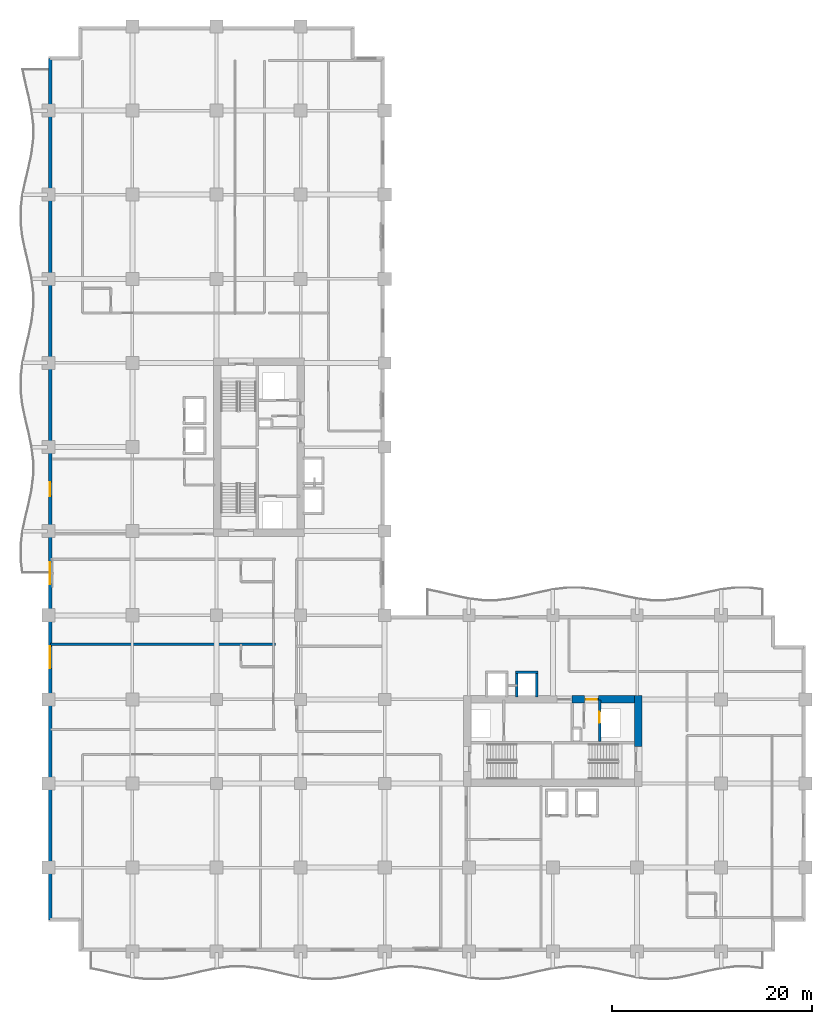
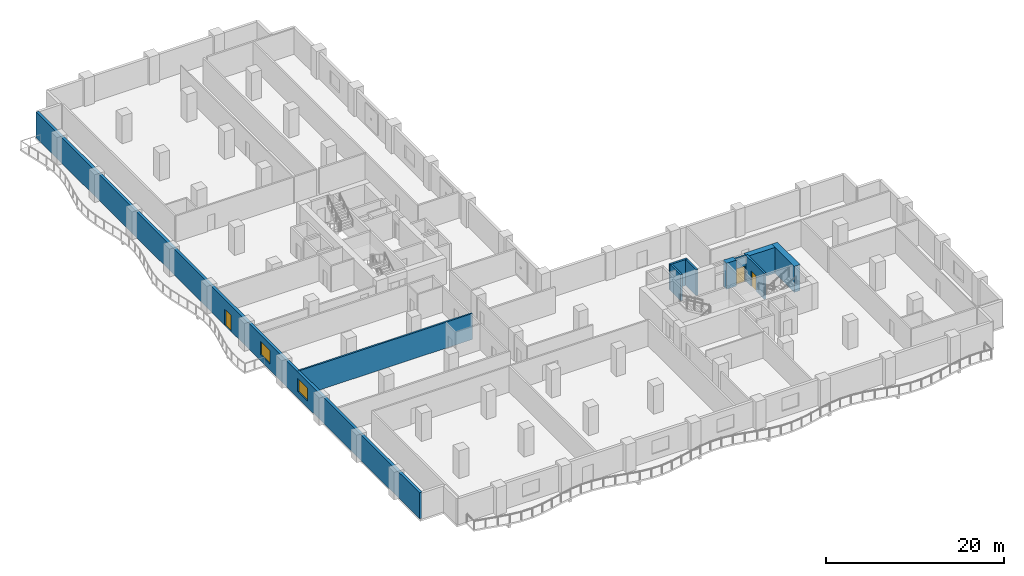
# One storey, part 5 of 15: 10 walls, 3 doors, 2 windows, 5 openings.
"""IFC4 building model written with IfcOpenShell, lengths in metres."""

from ifc_helpers import new_model, si_unit, direction, frame, frame_2d, origin, place, context, subcontext, project, spatial, rectangle, extrude, material, layer, layer_set, type_object, element, fill, save


model = new_model("IFC4")

# Units and contexts
model_context = context("Model", 3, precision=1e-05, world=origin(), true_north=direction((0.0, 1.0)))
body_context = subcontext(model_context, "Body", "Model", "MODEL_VIEW")
ifc_project = project(units=[si_unit("LENGTHUNIT", "METRE"), si_unit("AREAUNIT", "SQUARE_METRE"), si_unit("VOLUMEUNIT", "CUBIC_METRE"), si_unit("PLANEANGLEUNIT", "RADIAN"), si_unit("MASSUNIT", "GRAM", prefix="KILO")], contexts=[model_context])

# Site, building, storey
site_placement = place(None, origin())
site = spatial("IfcSite", under=ifc_project, at=site_placement, CompositionType="ELEMENT")
building_placement = place(site_placement, origin())
building = spatial("IfcBuilding", under=site, at=building_placement, Name="Koriwani Terraces Tower", CompositionType="ELEMENT")
storey_placement = place(building_placement, frame((0.0, 0.0, 138.0)))
storey = spatial("IfcBuildingStorey", under=building, at=storey_placement, Name="L33", CompositionType="ELEMENT", Elevation=138.0)

# Walls
ifc_material_1 = material(Name="Concrete C60/75", Category="concrete")
ifc_layer_1 = layer(ifc_material_1, 0.75, Name="Concrete C60/75")
ifc_layer_set_1 = layer_set([ifc_layer_1], Name="Concrete C60/75")
wall_type_1 = type_object("IfcWallType", Name="WALL_CORE_RC_750", PredefinedType="SHEAR", material=ifc_layer_set_1)
wall_1_placement = place(storey_placement, frame((58.925048828125, 20.5, 0.0), z_axis=(0.0, 0.0, 1.0), x_axis=(0.0, 1.0, 0.0)))
element("IfcWall", 1, at=wall_1_placement, inside=storey, type_object=wall_type_1, Name="L33 East Split Core Shear Wall E2", PredefinedType="SHEAR", context=body_context, shape_type="SweptSolid", body=[
    extrude(rectangle(XDim=5.074951171875, YDim=0.75, at=frame_2d((2.53759765625, 0.0))), origin(), (0.0, 0.0, 1.0), 3.550048828125),
])
wall_2_placement = place(storey_placement, frame((52.280029296875, 25.199951171875, 0.0), z_axis=(0.0, 0.0, 1.0), x_axis=(1.0, 0.0, 0.0)))
element("IfcWall", 2, at=wall_2_placement, inside=storey, type_object=wall_type_1, Name="L33 East Split Core Shear Wall N2", PredefinedType="SHEAR", context=body_context, shape_type="SweptSolid", body=[
    extrude(rectangle(XDim=1.27001953125, YDim=0.75, at=frame_2d((0.635009765625, 0.0))), origin(), (0.0, 0.0, 1.0), 3.550048828125),
])
wall_3_placement = place(storey_placement, frame((54.949951171875, 25.199951171875, 0.0), z_axis=(0.0, 0.0, 1.0), x_axis=(1.0, 0.0, 0.0)))
element("IfcWall", 3, at=wall_3_placement, inside=storey, type_object=wall_type_1, Name="L33 East Split Core Shear Wall N3", PredefinedType="SHEAR", context=body_context, shape_type="SweptSolid", body=[
    extrude(rectangle(XDim=3.60009765625, YDim=0.75, at=frame_2d((1.800048828125, 0.0))), origin(), (0.0, 0.0, 1.0), 3.550048828125),
])
ifc_material_2 = material(Name="Autoclaved Cellular Concrete Blockwork", Category="masonry")
ifc_layer_2 = layer(ifc_material_2, 0.219970703125, Name="Autoclaved Cellular Concrete Blockwork")
ifc_layer_set_2 = layer_set([ifc_layer_2], Name="Autoclaved Cellular Concrete Blockwork")
wall_type_2 = type_object("IfcWallType", Name="WALL_DEMISING_220", PredefinedType="PARTITIONING", material=ifc_layer_set_2)
wall_4_placement = place(storey_placement, frame((0.199951171875, 30.699951171875, 0.0), z_axis=(0.0, 0.0, 1.0), x_axis=(1.0, 0.0, 0.0)))
element("IfcWall", 4, at=wall_4_placement, inside=storey, type_object=wall_type_2, Name="L33 Interior Wall WDEM-L33-NW-1", PredefinedType="PARTITIONING", context=body_context, shape_type="SweptSolid", body=[
    extrude(rectangle(XDim=22.47998046875, YDim=0.219970703125, at=frame_2d((11.239990234375, 0.0))), origin(), (0.0, 0.0, 1.0), 3.550048828125),
])

# Wall, openings, door, windows
ifc_material_3 = material(Name="Concrete C50/60", Category="concrete")
ifc_layer_3 = layer(ifc_material_3, 0.35009765625, Name="Concrete C50/60")
ifc_layer_set_3 = layer_set([ifc_layer_3], Name="Concrete C50/60")
wall_type_3 = type_object("IfcWallType", Name="WALL_EXT_BRUTALIST_350", PredefinedType="STANDARD", material=ifc_layer_set_3)
wall_5_placement = place(storey_placement, frame((0.175048828125, 3.175048828125, 0.0), z_axis=(0.0, 0.0, 1.0), x_axis=(0.0, 1.0, 0.0)))
wall_5 = element("IfcWall", 5, at=wall_5_placement, inside=storey, type_object=wall_type_3, Name="L33 Fair-Faced Brutalist Exterior Wall (W)", PredefinedType="STANDARD", context=body_context, shape_type="SweptSolid", body=[
    extrude(rectangle(XDim=86.050048828125, YDim=0.35009765625, at=frame_2d((43.02490234375, 0.0))), origin(), (0.0, 0.0, 1.0), 3.550048828125),
])
opening_1_placement = place(wall_5_placement, frame((42.324951171875, 0.0, 0.0)))
opening_1 = element("IfcOpeningElement", 6, at=opening_1_placement, cuts=wall_5, Name="Opening D-09", PredefinedType="OPENING", context=body_context, shape_type="SweptSolid", body=[
    extrude(rectangle(XDim=1.39990234375, YDim=2.199951171875, at=frame_2d((0.699951171875, 1.10009765625))), frame((0.0, 0.18505859375, 0.0), z_axis=(0.0, -1.0, 0.0), x_axis=(1.0, 0.0, 0.0)), (0.0, 0.0, 1.0), 0.3701171875),
])
opening_2_placement = place(wall_5_placement, frame((25.125, 0.0, 0.85009765625)))
opening_2 = element("IfcOpeningElement", 7, at=opening_2_placement, cuts=wall_5, Name="Opening W-01", PredefinedType="OPENING", context=body_context, shape_type="SweptSolid", body=[
    extrude(rectangle(XDim=2.199951171875, YDim=1.800048828125, at=frame_2d((1.10009765625, 0.89990234375))), frame((0.0, 0.18505859375, 0.0), z_axis=(0.0, -1.0, 0.0), x_axis=(1.0, 0.0, 0.0)), (0.0, 0.0, 1.0), 0.3701171875),
])
opening_3_placement = place(wall_5_placement, frame((33.52490234375, 0.0, 0.85009765625)))
opening_3 = element("IfcOpeningElement", 8, at=opening_3_placement, cuts=wall_5, Name="Opening W-01", PredefinedType="OPENING", context=body_context, shape_type="SweptSolid", body=[
    extrude(rectangle(XDim=2.199951171875, YDim=1.800048828125, at=frame_2d((1.10009765625, 0.89990234375))), frame((0.0, 0.18505859375, 0.0), z_axis=(0.0, -1.0, 0.0), x_axis=(1.0, 0.0, 0.0)), (0.0, 0.0, 1.0), 0.3701171875),
])
ifc_material_4 = material(Name="Anodised Bronze Aluminium", Category="aluminium")
door_type_1 = type_object("IfcDoorType", Name="DOOR_BALCONY_GLAZED_1400X2200", OperationType="NOTDEFINED", PredefinedType="DOOR", material=ifc_material_4)
door_1_placement = place(opening_1_placement, origin())
door_1 = element("IfcDoor", 9, at=door_1_placement, inside=storey, type_object=door_type_1, Name="L33 West Balcony Glazed Door", OperationType="SINGLE_SWING_LEFT", OverallHeight=2.199951171875, OverallWidth=1.39990234375, PredefinedType="DOOR", context=body_context, shape_type="SweptSolid", body=[
    extrude(rectangle(XDim=1.39990234375, YDim=2.199951171875, at=frame_2d((0.699951171875, 1.10009765625))), frame((0.0, 0.02490234375, 0.0), z_axis=(0.0, -1.0, 0.0), x_axis=(1.0, 0.0, 0.0)), (0.0, 0.0, 1.0), 0.050048828125),
])
fill(opening_1, door_1)
ifc_material_5 = material(Name="Tempered Laminated Low-E Glass", Category="glass")
window_type = type_object("IfcWindowType", Name="WIN_HOTEL_STD_2200X1800", PartitioningType="DOUBLE_PANEL_VERTICAL", PredefinedType="WINDOW", material=ifc_material_5)
window_1_placement = place(opening_2_placement, origin())
window_1 = element("IfcWindow", 10, at=window_1_placement, inside=storey, type_object=window_type, Name="L33 Exterior Window (W-9)", OverallHeight=1.800048828125, OverallWidth=2.199951171875, PartitioningType="SINGLE_PANEL", PredefinedType="WINDOW", context=body_context, shape_type="SweptSolid", body=[
    extrude(rectangle(XDim=2.199951171875, YDim=1.800048828125, at=frame_2d((1.10009765625, 0.89990234375))), frame((0.0, 0.030029296875, 0.0), z_axis=(0.0, -1.0, 0.0), x_axis=(1.0, 0.0, 0.0)), (0.0, 0.0, 1.0), 0.06005859375),
])
fill(opening_2, window_1)
window_2_placement = place(opening_3_placement, origin())
window_2 = element("IfcWindow", 11, at=window_2_placement, inside=storey, type_object=window_type, Name="L33 Exterior Window (W-12)", OverallHeight=1.800048828125, OverallWidth=2.199951171875, PartitioningType="SINGLE_PANEL", PredefinedType="WINDOW", context=body_context, shape_type="SweptSolid", body=[
    extrude(rectangle(XDim=2.199951171875, YDim=1.800048828125, at=frame_2d((1.10009765625, 0.89990234375))), frame((0.0, 0.030029296875, 0.0), z_axis=(0.0, -1.0, 0.0), x_axis=(1.0, 0.0, 0.0)), (0.0, 0.0, 1.0), 0.06005859375),
])
fill(opening_3, window_2)

# Wall, opening, door
ifc_material_6 = material(Name="Concrete C40/50", Category="concrete")
ifc_layer_4 = layer(ifc_material_6, 0.25, Name="Concrete C40/50")
ifc_layer_set_4 = layer_set([ifc_layer_4], Name="Concrete C40/50")
wall_type_4 = type_object("IfcWallType", Name="WALL_SHAFT_RATED_250", PredefinedType="SOLIDWALL", material=ifc_layer_set_4)
wall_6_placement = place(storey_placement, frame((55.050048828125, 21.0, 0.0), z_axis=(0.0, 0.0, 1.0), x_axis=(0.0, 1.0, 0.0)))
wall_6 = element("IfcWall", 12, at=wall_6_placement, inside=storey, type_object=wall_type_4, Name="L33 Interior Wall WIN-CE-L33-SE", PredefinedType="SOLIDWALL", context=body_context, shape_type="SweptSolid", body=[
    extrude(rectangle(XDim=4.14990234375, YDim=0.25, at=frame_2d((2.074951171875, 0.0))), origin(), (0.0, 0.0, 1.0), 3.550048828125),
])
opening_4_placement = place(wall_6_placement, frame((1.85009765625, 0.0, 0.0)))
opening_4 = element("IfcOpeningElement", 13, at=opening_4_placement, cuts=wall_6, Name="Opening LD-01", PredefinedType="OPENING", context=body_context, shape_type="SweptSolid", body=[
    extrude(rectangle(XDim=1.10009765625, YDim=2.14990234375, at=frame_2d((0.550048828125, 1.074951171875))), frame((0.0, 0.135009765625, 0.0), z_axis=(0.0, -1.0, 0.0), x_axis=(1.0, 0.0, 0.0)), (0.0, 0.0, 1.0), 0.27001953125),
])
ifc_material_7 = material(Name="Steel ASTM A572 Grade 50", Category="steel")
door_type_2 = type_object("IfcDoorType", Name="DOOR_LIFT_LANDING_1100X2200", OperationType="NOTDEFINED", PredefinedType="DOOR", material=ifc_material_7)
door_2_placement = place(opening_4_placement, origin())
door_2 = element("IfcDoor", 14, at=door_2_placement, inside=storey, type_object=door_type_2, Name="L33 Goods Lift SE-02 Landing Door", OperationType="SLIDING_TO_LEFT", OverallHeight=2.14990234375, OverallWidth=1.10009765625, PredefinedType="DOOR", context=body_context, shape_type="SweptSolid", body=[
    extrude(rectangle(XDim=1.10009765625, YDim=2.14990234375, at=frame_2d((0.550048828125, 1.074951171875))), frame((0.0, 0.02490234375, 0.0), z_axis=(0.0, -1.0, 0.0), x_axis=(1.0, 0.0, 0.0)), (0.0, 0.0, 1.0), 0.050048828125),
])
fill(opening_4, door_2)

wall_7_placement = place(storey_placement, frame((53.550048828125, 25.199951171875, 0.0), z_axis=(0.0, 0.0, 1.0), x_axis=(1.0, 0.0, 0.0)))
wall_7 = element("IfcWall", 15, at=wall_7_placement, inside=storey, type_object=wall_type_4, Name="L33 Interior Wall WIN-CE-L33-NP2", PredefinedType="SOLIDWALL", context=body_context, shape_type="SweptSolid", body=[
    extrude(rectangle(XDim=1.39990234375, YDim=0.25, at=frame_2d((0.699951171875, 0.0))), origin(), (0.0, 0.0, 1.0), 3.550048828125),
])
opening_5_placement = place(wall_7_placement, frame((0.14990234375, 0.0, 0.0)))
opening_5 = element("IfcOpeningElement", 16, at=opening_5_placement, cuts=wall_7, Name="Opening D-03", PredefinedType="OPENING", context=body_context, shape_type="SweptSolid", body=[
    extrude(rectangle(XDim=1.10009765625, YDim=2.14990234375, at=frame_2d((0.550048828125, 1.074951171875))), frame((0.0, 0.135009765625, 0.0), z_axis=(0.0, -1.0, 0.0), x_axis=(1.0, 0.0, 0.0)), (0.0, 0.0, 1.0), 0.27001953125),
])
door_type_3 = type_object("IfcDoorType", Name="DOOR_STAIR_FIRE_1100X2150", OperationType="NOTDEFINED", PredefinedType="DOOR", material=ifc_material_7)
door_3_placement = place(opening_5_placement, origin())
door_3 = element("IfcDoor", 17, at=door_3_placement, inside=storey, type_object=door_type_3, Name="L33 East Goods Lift Lobby Door", OperationType="SINGLE_SWING_LEFT", OverallHeight=2.14990234375, OverallWidth=1.10009765625, PredefinedType="DOOR", context=body_context, shape_type="SweptSolid", body=[
    extrude(rectangle(XDim=1.10009765625, YDim=2.14990234375, at=frame_2d((0.550048828125, 1.074951171875))), frame((0.0, 0.02490234375, 0.0), z_axis=(0.0, -1.0, 0.0), x_axis=(1.0, 0.0, 0.0)), (0.0, 0.0, 1.0), 0.050048828125),
])
fill(opening_5, door_3)

# Walls
wall_8_placement = place(storey_placement, frame((46.675048828125, 27.89990234375, 0.0), z_axis=(0.0, 0.0, 1.0), x_axis=(1.0, 0.0, 0.0)))
element("IfcWall", 18, at=wall_8_placement, inside=storey, type_object=wall_type_4, Name="L33 Interior Wall WIN-LF-PE-H4-L33-F", PredefinedType="SOLIDWALL", context=body_context, shape_type="SweptSolid", body=[
    extrude(rectangle(XDim=2.25, YDim=0.25, at=frame_2d((1.125, 0.0))), origin(), (0.0, 0.0, 1.0), 3.550048828125),
])
for number, where, z_axis, x_axis, name in (
    (19, (46.800048828125, 25.449951171875, 0.0), (0.0, 0.0, 1.0), (0.0, 1.0, 0.0), "L33 Interior Wall WIN-LF-PE-H4-L33-W"),
    (20, (48.800048828125, 25.449951171875, 0.0), (0.0, 0.0, 1.0), (0.0, 1.0, 0.0), "L33 Interior Wall WIN-LF-PE-H4-L33-E"),
):
    element("IfcWall", number, at=place(storey_placement, frame(where, z_axis=z_axis, x_axis=x_axis)), inside=storey, type_object=wall_type_4, Name=name, PredefinedType="SOLIDWALL", context=body_context, shape_type="SweptSolid", body=[
        extrude(rectangle(XDim=2.324951171875, YDim=0.25, at=frame_2d((1.16259765625, 0.0))), origin(), (0.0, 0.0, 1.0), 3.550048828125),
    ])

save(model, "model.ifc")
